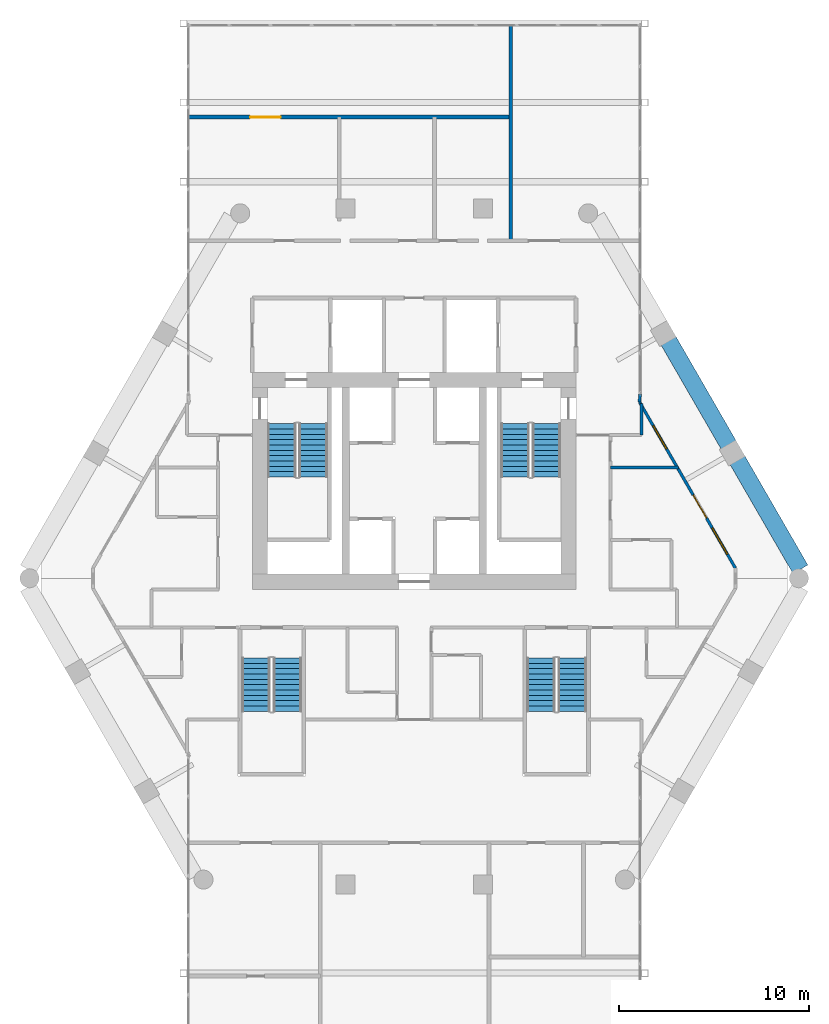
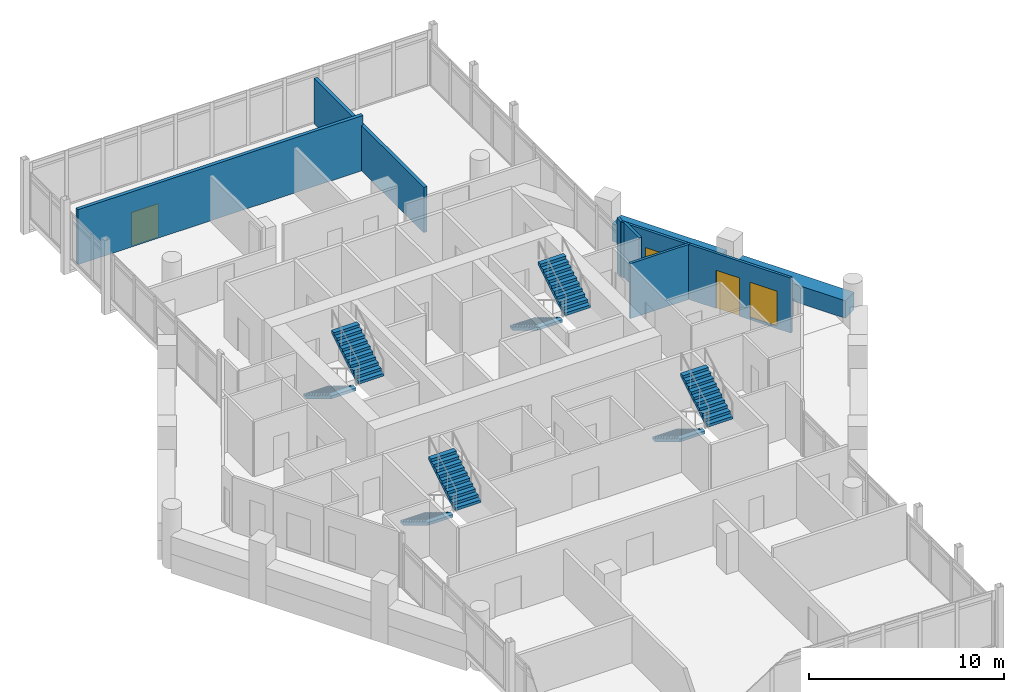
# One storey, part 28 of 29: 8 stair flights, 8 walls, 2 doors, 2 windows, 4 openings, 4 elements without a shape of their own.
"""IFC4 building model written with IfcOpenShell, lengths in metres."""

from ifc_helpers import new_model, si_unit, direction, frame, frame_2d, origin, place, context, subcontext, project, spatial, polyline, rectangle, outline, extrude, material, layer, layer_set, type_object, element, fill, aggregate, save


model = new_model("IFC4")

# Units and contexts
model_context = context("Model", 3, precision=1e-05, world=origin(), true_north=direction((0.0, 1.0)))
body_context = subcontext(model_context, "Body", "Model", "MODEL_VIEW")
ifc_project = project(units=[si_unit("LENGTHUNIT", "METRE"), si_unit("AREAUNIT", "SQUARE_METRE"), si_unit("VOLUMEUNIT", "CUBIC_METRE"), si_unit("PLANEANGLEUNIT", "RADIAN"), si_unit("MASSUNIT", "GRAM", prefix="KILO")], contexts=[model_context])

# Site, building, storey
site_placement = place(None, origin())
site = spatial("IfcSite", under=ifc_project, at=site_placement, CompositionType="ELEMENT")
building_placement = place(site_placement, origin())
building = spatial("IfcBuilding", under=site, at=building_placement, Name="Ostrander Bayou Hotel Tower", CompositionType="ELEMENT")
storey_placement = place(building_placement, frame((0.0, 0.0, 205.75)))
storey = spatial("IfcBuildingStorey", under=building, at=storey_placement, Name="L51", CompositionType="ELEMENT", Elevation=205.75)

# Wall, openings, door, windows
ifc_material_1 = material(Name="Aluminium framed insulated wall", Category="aluminium")
ifc_layer_1 = layer(ifc_material_1, 0.14990234375)
ifc_layer_set_1 = layer_set([ifc_layer_1], Name="GW1 glass-line wall 150 mm")
wall_type_1 = type_object("IfcWallType", Name="GW1 glass-line wall 150 mm", PredefinedType="SOLIDWALL", material=ifc_layer_set_1)
wall_1_placement = place(storey_placement, frame((16.861328125, -0.580322265625, 0.0), z_axis=(0.0, 0.0, 1.0), x_axis=(-0.499993749393, 0.866029012544, 0.0)))
wall_1 = element("IfcWall", 1, at=wall_1_placement, inside=storey, type_object=wall_type_1, Name="GW1 L51 NE 1", PredefinedType="SOLIDWALL", context=body_context, shape_type="SweptSolid", body=[
    extrude(rectangle(XDim=10.074951171875, YDim=0.14990234375, at=frame_2d((5.03759765625, 0.0))), origin(), (0.0, 0.0, 1.0), 3.449951171875),
])
opening_1_placement = place(wall_1_placement, frame((0.833251953125, 0.0, 0.14990234375)))
opening_1 = element("IfcOpeningElement", 2, at=opening_1_placement, cuts=wall_1, Name="Opening W9", PredefinedType="OPENING", context=body_context, shape_type="SweptSolid", body=[
    extrude(rectangle(XDim=1.60009765625, YDim=2.199951171875, at=frame_2d((0.800048828125, 1.10009765625))), frame((0.0, 0.074951171875, 0.0), z_axis=(0.0, -1.0, 0.0), x_axis=(1.0, 0.0, 0.0)), (0.0, 0.0, 1.0), 0.14990234375),
])
opening_2_placement = place(wall_1_placement, frame((3.033203125, 0.0, 0.0)))
opening_2 = element("IfcOpeningElement", 3, at=opening_2_placement, cuts=wall_1, Name="Opening T50-801", PredefinedType="OPENING", context=body_context, shape_type="SweptSolid", body=[
    extrude(rectangle(XDim=1.39990234375, YDim=2.39990234375, at=frame_2d((0.699951171875, 1.199951171875))), frame((0.0, 0.074951171875, 0.0), z_axis=(0.0, -1.0, 0.0), x_axis=(1.0, 0.0, 0.0)), (0.0, 0.0, 1.0), 0.14990234375),
])
opening_3_placement = place(wall_1_placement, frame((7.233154296875, 0.0, 0.14990234375)))
opening_3 = element("IfcOpeningElement", 4, at=opening_3_placement, cuts=wall_1, Name="Opening W13", PredefinedType="OPENING", context=body_context, shape_type="SweptSolid", body=[
    extrude(rectangle(XDim=1.39990234375, YDim=2.199951171875, at=frame_2d((0.699951171875, 1.10009765625))), frame((0.0, 0.074951171875, 0.0), z_axis=(0.0, -1.0, 0.0), x_axis=(1.0, 0.0, 0.0)), (0.0, 0.0, 1.0), 0.14990234375),
])
ifc_material_2 = material(Name="Aluminium and clear glass", Category="aluminium")
door_type_1 = type_object("IfcDoorType", Name="SD3 sliding glass door 1400 mm, zone 3", OperationType="SLIDING_TO_LEFT", PredefinedType="DOOR", material=ifc_material_2)
door_1_placement = place(opening_2_placement, origin())
door_1 = element("IfcDoor", 5, at=door_1_placement, inside=storey, type_object=door_type_1, Name="SD3 L51 NE 1", OperationType="SLIDING_TO_LEFT", OverallHeight=2.39990234375, OverallWidth=1.39990234375, PredefinedType="DOOR", context=body_context, shape_type="SweptSolid", body=[
    extrude(rectangle(XDim=1.39990234375, YDim=2.39990234375, at=frame_2d((0.699951171875, 1.199951171875))), frame((0.0, 0.02490234375, 0.0), z_axis=(0.0, -1.0, 0.0), x_axis=(1.0, 0.0, 0.0)), (0.0, 0.0, 1.0), 0.050048828125),
])
fill(opening_2, door_1)
ifc_material_3 = material(Name="Aluminium and clear glass", Category="aluminium")
window_type_1 = type_object("IfcWindowType", Name="W13 fixed window 1400 mm, bath bay, zone 3", PartitioningType="SINGLE_PANEL", PredefinedType="WINDOW", material=ifc_material_3)
window_1_placement = place(opening_3_placement, origin())
window_1 = element("IfcWindow", 6, at=window_1_placement, inside=storey, type_object=window_type_1, Name="W13 L51 NE 2", OverallHeight=2.199951171875, OverallWidth=1.39990234375, PartitioningType="SINGLE_PANEL", PredefinedType="WINDOW", context=body_context, shape_type="SweptSolid", body=[
    extrude(rectangle(XDim=1.39990234375, YDim=2.199951171875, at=frame_2d((0.699951171875, 1.10009765625))), frame((0.0, 0.030029296875, 0.0), z_axis=(0.0, -1.0, 0.0), x_axis=(1.0, 0.0, 0.0)), (0.0, 0.0, 1.0), 0.06005859375),
])
fill(opening_3, window_1)
ifc_material_4 = material(Name="Aluminium and clear glass", Category="aluminium")
window_type_2 = type_object("IfcWindowType", Name="W9 fixed window 1600 mm, bar storeys, zone 3", PartitioningType="SINGLE_PANEL", PredefinedType="WINDOW", material=ifc_material_4)
window_2_placement = place(opening_1_placement, origin())
window_2 = element("IfcWindow", 7, at=window_2_placement, inside=storey, type_object=window_type_2, Name="W9 L51 NE 1", OverallHeight=2.199951171875, OverallWidth=1.60009765625, PartitioningType="SINGLE_PANEL", PredefinedType="WINDOW", context=body_context, shape_type="SweptSolid", body=[
    extrude(rectangle(XDim=1.60009765625, YDim=2.199951171875, at=frame_2d((0.800048828125, 1.10009765625))), frame((0.0, 0.030029296875, 0.0), z_axis=(0.0, -1.0, 0.0), x_axis=(1.0, 0.0, 0.0)), (0.0, 0.0, 1.0), 0.06005859375),
])
fill(opening_1, window_2)

# Walls
wall_2_placement = place(storey_placement, frame((11.823974609375, 8.144775390625, 0.0), z_axis=(0.0, 0.0, 1.0), x_axis=(0.078869316502, 0.996884963732, 0.0)))
element("IfcWall", 8, at=wall_2_placement, inside=storey, type_object=wall_type_1, Name="GW1 L51 bar joint 4", PredefinedType="SOLIDWALL", context=body_context, shape_type="SweptSolid", body=[
    extrude(rectangle(XDim=0.4208984375, YDim=0.14990234375, at=frame_2d((0.21044921875, 0.0))), origin(), (0.0, 0.0, 1.0), 3.449951171875),
])
ifc_material_5 = material(Name="Concrete f'c 40 MPa", Category="concrete")
ifc_layer_2 = layer(ifc_material_5, 0.89990234375)
ifc_layer_set_2 = layer_set([ifc_layer_2], Name="PA1 stone-faced parapet 900 mm")
wall_type_2 = type_object("IfcWallType", Name="PA1 stone-faced parapet 900 mm", PredefinedType="PARAPET", material=ifc_layer_set_2)
wall_3_placement = place(storey_placement, frame((20.275146484375, -0.64306640625, 0.0), z_axis=(0.0, 0.0, 1.0), x_axis=(-0.500010360262, 0.866019422202, 0.0)))
element("IfcWall", 9, at=wall_3_placement, inside=storey, type_object=wall_type_2, Name="PA1 L51 NE-1", PredefinedType="PARAPET", context=body_context, shape_type="SweptSolid", body=[
    extrude(rectangle(XDim=6.606201171875, YDim=0.89990234375, at=frame_2d((3.30322265625, 0.0))), origin(), (0.0, 0.0, 1.0), 1.10009765625),
])
wall_4_placement = place(storey_placement, frame((16.501953125, 5.892333984375, 0.0), z_axis=(0.0, 0.0, 1.0), x_axis=(-0.500013351051, 0.866017695414, 0.0)))
element("IfcWall", 10, at=wall_4_placement, inside=storey, type_object=wall_type_2, Name="PA1 L51 NE-2", PredefinedType="PARAPET", context=body_context, shape_type="SweptSolid", body=[
    extrude(rectangle(XDim=6.296142578125, YDim=0.89990234375, at=frame_2d((3.14794921875, 0.0))), origin(), (0.0, 0.0, 1.0), 1.10009765625),
])

# Wall, opening, door
ifc_material_6 = material(Name="Gypsum board partition", Category="finish")
ifc_layer_3 = layer(ifc_material_6, 0.199951171875)
ifc_layer_set_3 = layer_set([ifc_layer_3], Name="PT3 demising wall 200 mm acoustic double stud, 1 hour")
wall_type_3 = type_object("IfcWallType", Name="PT3 demising wall 200 mm acoustic double stud, 1 hour", PredefinedType="PARTITIONING", material=ifc_layer_set_3)
wall_5_placement = place(storey_placement, frame((-11.838134765625, 23.10009765625, 0.0), z_axis=(0.0, 0.0, 1.0), x_axis=(1.0, 0.0, 0.0)))
wall_5 = element("IfcWall", 11, at=wall_5_placement, inside=storey, type_object=wall_type_3, Name="sw:L51:506", PredefinedType="PARTITIONING", context=body_context, shape_type="SweptSolid", body=[
    extrude(rectangle(XDim=16.906005859375, YDim=0.199951171875, at=frame_2d((8.453125, 0.0))), origin(), (0.0, 0.0, 1.0), 3.449951171875),
])
opening_4_placement = place(wall_5_placement, frame((3.220947265625, 0.0, 0.0)))
opening_4 = element("IfcOpeningElement", 12, at=opening_4_placement, cuts=wall_5, Name="Opening T50-1210", PredefinedType="OPENING", context=body_context, shape_type="SweptSolid", body=[
    extrude(rectangle(XDim=1.60009765625, YDim=2.10009765625, at=frame_2d((0.800048828125, 1.050048828125))), frame((0.0, 0.10009765625, 0.0), z_axis=(0.0, -1.0, 0.0), x_axis=(1.0, 0.0, 0.0)), (0.0, 0.0, 1.0), 0.199951171875),
])
ifc_material_7 = material(Name="Timber door leaf", Category="wood")
door_type_2 = type_object("IfcDoorType", Name="D13 double door 1600 x 2100 mm, 1 hour", OperationType="SINGLE_SWING_LEFT", PredefinedType="DOOR", material=ifc_material_7)
door_2_placement = place(opening_4_placement, origin())
door_2 = element("IfcDoor", 13, at=door_2_placement, inside=storey, type_object=door_type_2, Name="dr:L51:1210", OperationType="DOUBLE_DOOR_SINGLE_SWING", OverallHeight=2.10009765625, OverallWidth=1.60009765625, PredefinedType="DOOR", context=body_context, shape_type="SweptSolid", body=[
    extrude(rectangle(XDim=1.60009765625, YDim=2.10009765625, at=frame_2d((0.800048828125, 1.050048828125))), frame((0.0, 0.02490234375, 0.0), z_axis=(0.0, -1.0, 0.0), x_axis=(1.0, 0.0, 0.0)), (0.0, 0.0, 1.0), 0.050048828125),
])
fill(opening_4, door_2)

# Walls
wall_6_placement = place(storey_placement, frame((5.068115234375, 16.60009765625, 0.0), z_axis=(0.0, 0.0, 1.0), x_axis=(0.0, 1.0, 0.0)))
element("IfcWall", 14, at=wall_6_placement, inside=storey, type_object=wall_type_3, Name="sw:L51:511", PredefinedType="PARTITIONING", context=body_context, shape_type="SweptSolid", body=[
    extrude(rectangle(XDim=11.297119140625, YDim=0.199951171875, at=frame_2d((5.6484375, 0.0))), origin(), (0.0, 0.0, 1.0), 2.8388671875),
])
ifc_material_8 = material(Name="Gypsum board partition", Category="finish")
ifc_layer_4 = layer(ifc_material_8, 0.14990234375)
ifc_layer_set_4 = layer_set([ifc_layer_4], Name="PT8 service band wall 150 mm, 1 hour")
wall_type_4 = type_object("IfcWallType", Name="PT8 service band wall 150 mm, 1 hour", PredefinedType="PARTITIONING", material=ifc_layer_set_4)
wall_7_placement = place(storey_placement, frame((10.300048828125, 4.699951171875, 0.0), z_axis=(0.0, 0.0, 1.0), x_axis=(1.0, 0.0, 0.0)))
element("IfcWall", 15, at=wall_7_placement, inside=storey, type_object=wall_type_4, Name="gw:L51:017", PredefinedType="PARTITIONING", context=body_context, shape_type="SweptSolid", body=[
    extrude(rectangle(XDim=3.56494140625, YDim=0.14990234375, at=frame_2d((1.782470703125, 0.0))), origin(), (0.0, 0.0, 1.0), 3.449951171875),
])
wall_8_placement = place(storey_placement, frame((11.929931640625, 6.39990234375, 0.0), z_axis=(0.0, 0.0, 1.0), x_axis=(0.0, 1.0, 0.0)))
element("IfcWall", 16, at=wall_8_placement, inside=storey, type_object=wall_type_4, Name="gw:L51:024", PredefinedType="PARTITIONING", context=body_context, shape_type="SweptSolid", body=[
    extrude(rectangle(XDim=1.651123046875, YDim=0.14990234375, at=frame_2d((0.82568359375, 0.0))), origin(), (0.0, 0.0, 1.0), 3.449951171875),
])

# Stair, stair flights
ifc_material_9 = material(Name="Concrete f'c 45 MPa", Category="concrete")
stair_type = type_object("IfcStairType", Name="ST1 exit stair 1500 mm f'c 45 MPa", PredefinedType="HALF_TURN_STAIR", material=ifc_material_9)
stair_1_placement = place(storey_placement, origin())
stair_1 = element("IfcStair", 17, at=stair_1_placement, inside=storey, type_object=stair_type, Name="L51 exit stair A", PredefinedType="HALF_TURN_STAIR")
ifc_material_10 = material(Name="Concrete f'c 45 MPa", Category="concrete")
stair_flight_type = type_object("IfcStairFlightType", Name="SF1 stair flight 1500 mm f'c 45 MPa", PredefinedType="STRAIGHT", material=ifc_material_10)
stair_flight_1_placement = place(storey_placement, frame((-6.949951171875, 7.0, 0.0), z_axis=(0.0, 0.0, 1.0), x_axis=(0.0, -1.0, 0.0)))
stair_flight_1 = element("IfcStairFlight", 18, at=stair_flight_1_placement, type_object=stair_flight_type, Name="STA flight 1", NumberOfRisers=11, NumberOfTreads=10, PredefinedType="STRAIGHT", RiserHeight=0.170454545, TreadLength=0.28, context=body_context, shape_type="SweptSolid", body=[
    extrude(outline(polyline([(0.0, 0.0), (0.0, 0.17041015625), (0.280029296875, 0.17041015625), (0.280029296875, 0.3408203125), (0.56005859375, 0.3408203125), (0.56005859375, 0.511474609375), (0.840087890625, 0.511474609375), (0.840087890625, 0.681884765625), (1.1201171875, 0.681884765625), (1.1201171875, 0.852294921875), (1.39990234375, 0.852294921875), (1.39990234375, 1.022705078125), (1.679931640625, 1.022705078125), (1.679931640625, 1.193115234375), (1.9599609375, 1.193115234375), (1.9599609375, 1.363525390625), (2.239990234375, 1.363525390625), (2.239990234375, 1.5341796875), (2.52001953125, 1.5341796875), (2.52001953125, 1.70458984375), (2.800048828125, 1.70458984375), (2.800048828125, 1.875), (2.800048828125, 1.529052734375), (0.288330078125, 0.0), (0.0, 0.0)])), frame((0.0, 0.75, 0.0), z_axis=(0.0, -1.0, 0.0), x_axis=(1.0, 0.0, 0.0)), (0.0, 0.0, 1.0), 1.5),
])
stair_flight_2_placement = place(storey_placement, frame((-5.300048828125, 4.199951171875, 1.875), z_axis=(0.0, 0.0, 1.0), x_axis=(0.0, 1.0, 0.0)))
stair_flight_2 = element("IfcStairFlight", 19, at=stair_flight_2_placement, type_object=stair_flight_type, Name="STA flight 2", NumberOfRisers=11, NumberOfTreads=10, PredefinedType="STRAIGHT", RiserHeight=0.170454545, TreadLength=0.28, context=body_context, shape_type="SweptSolid", body=[
    extrude(outline(polyline([(0.0, 0.0), (0.0, 0.17041015625), (0.280029296875, 0.17041015625), (0.280029296875, 0.3408203125), (0.56005859375, 0.3408203125), (0.56005859375, 0.511474609375), (0.840087890625, 0.511474609375), (0.840087890625, 0.681884765625), (1.1201171875, 0.681884765625), (1.1201171875, 0.852294921875), (1.39990234375, 0.852294921875), (1.39990234375, 1.022705078125), (1.679931640625, 1.022705078125), (1.679931640625, 1.193115234375), (1.9599609375, 1.193115234375), (1.9599609375, 1.363525390625), (2.239990234375, 1.363525390625), (2.239990234375, 1.5341796875), (2.52001953125, 1.5341796875), (2.52001953125, 1.70458984375), (2.800048828125, 1.70458984375), (2.800048828125, 1.875), (2.800048828125, 1.529052734375), (0.288330078125, 0.0), (0.0, 0.0)])), frame((0.0, 0.75, 0.0), z_axis=(0.0, -1.0, 0.0), x_axis=(1.0, 0.0, 0.0)), (0.0, 0.0, 1.0), 1.5),
])
aggregate(stair_1, [stair_flight_1, stair_flight_2])

stair_2_placement = place(storey_placement, origin())
stair_2 = element("IfcStair", 20, at=stair_2_placement, inside=storey, type_object=stair_type, Name="L51 exit stair B", PredefinedType="HALF_TURN_STAIR")
stair_flight_3_placement = place(storey_placement, frame((5.300048828125, 7.0, 0.0), z_axis=(0.0, 0.0, 1.0), x_axis=(0.0, -1.0, 0.0)))
stair_flight_3 = element("IfcStairFlight", 21, at=stair_flight_3_placement, type_object=stair_flight_type, Name="STB flight 1", NumberOfRisers=11, NumberOfTreads=10, PredefinedType="STRAIGHT", RiserHeight=0.170454545, TreadLength=0.28, context=body_context, shape_type="SweptSolid", body=[
    extrude(outline(polyline([(0.0, 0.0), (0.0, 0.17041015625), (0.280029296875, 0.17041015625), (0.280029296875, 0.3408203125), (0.56005859375, 0.3408203125), (0.56005859375, 0.511474609375), (0.840087890625, 0.511474609375), (0.840087890625, 0.681884765625), (1.1201171875, 0.681884765625), (1.1201171875, 0.852294921875), (1.39990234375, 0.852294921875), (1.39990234375, 1.022705078125), (1.679931640625, 1.022705078125), (1.679931640625, 1.193115234375), (1.9599609375, 1.193115234375), (1.9599609375, 1.363525390625), (2.239990234375, 1.363525390625), (2.239990234375, 1.5341796875), (2.52001953125, 1.5341796875), (2.52001953125, 1.70458984375), (2.800048828125, 1.70458984375), (2.800048828125, 1.875), (2.800048828125, 1.529052734375), (0.288330078125, 0.0), (0.0, 0.0)])), frame((0.0, 0.75, 0.0), z_axis=(0.0, -1.0, 0.0), x_axis=(1.0, 0.0, 0.0)), (0.0, 0.0, 1.0), 1.5),
])
stair_flight_4_placement = place(storey_placement, frame((6.949951171875, 4.199951171875, 1.875), z_axis=(0.0, 0.0, 1.0), x_axis=(0.0, 1.0, 0.0)))
stair_flight_4 = element("IfcStairFlight", 22, at=stair_flight_4_placement, type_object=stair_flight_type, Name="STB flight 2", NumberOfRisers=11, NumberOfTreads=10, PredefinedType="STRAIGHT", RiserHeight=0.170454545, TreadLength=0.28, context=body_context, shape_type="SweptSolid", body=[
    extrude(outline(polyline([(0.0, 0.0), (0.0, 0.17041015625), (0.280029296875, 0.17041015625), (0.280029296875, 0.3408203125), (0.56005859375, 0.3408203125), (0.56005859375, 0.511474609375), (0.840087890625, 0.511474609375), (0.840087890625, 0.681884765625), (1.1201171875, 0.681884765625), (1.1201171875, 0.852294921875), (1.39990234375, 0.852294921875), (1.39990234375, 1.022705078125), (1.679931640625, 1.022705078125), (1.679931640625, 1.193115234375), (1.9599609375, 1.193115234375), (1.9599609375, 1.363525390625), (2.239990234375, 1.363525390625), (2.239990234375, 1.5341796875), (2.52001953125, 1.5341796875), (2.52001953125, 1.70458984375), (2.800048828125, 1.70458984375), (2.800048828125, 1.875), (2.800048828125, 1.529052734375), (0.288330078125, 0.0), (0.0, 0.0)])), frame((0.0, 0.75, 0.0), z_axis=(0.0, -1.0, 0.0), x_axis=(1.0, 0.0, 0.0)), (0.0, 0.0, 1.0), 1.5),
])
aggregate(stair_2, [stair_flight_3, stair_flight_4])

stair_3_placement = place(storey_placement, origin())
stair_3 = element("IfcStair", 23, at=stair_3_placement, inside=storey, type_object=stair_type, Name="L51 exit stair C", PredefinedType="HALF_TURN_STAIR")
stair_flight_5_placement = place(storey_placement, frame((6.64990234375, -5.300048828125, 0.0), z_axis=(0.0, 0.0, 1.0), x_axis=(0.0, -1.0, 0.0)))
stair_flight_5 = element("IfcStairFlight", 24, at=stair_flight_5_placement, type_object=stair_flight_type, Name="STC flight 1", NumberOfRisers=11, NumberOfTreads=10, PredefinedType="STRAIGHT", RiserHeight=0.170454545, TreadLength=0.28, context=body_context, shape_type="SweptSolid", body=[
    extrude(outline(polyline([(0.0, 0.0), (0.0, 0.17041015625), (0.280029296875, 0.17041015625), (0.280029296875, 0.3408203125), (0.56005859375, 0.3408203125), (0.56005859375, 0.511474609375), (0.840087890625, 0.511474609375), (0.840087890625, 0.681884765625), (1.1201171875, 0.681884765625), (1.1201171875, 0.852294921875), (1.39990234375, 0.852294921875), (1.39990234375, 1.022705078125), (1.679931640625, 1.022705078125), (1.679931640625, 1.193115234375), (1.9599609375, 1.193115234375), (1.9599609375, 1.363525390625), (2.239990234375, 1.363525390625), (2.239990234375, 1.5341796875), (2.52001953125, 1.5341796875), (2.52001953125, 1.70458984375), (2.800048828125, 1.70458984375), (2.800048828125, 1.875), (2.800048828125, 1.529052734375), (0.288330078125, 0.0), (0.0, 0.0)])), frame((0.0, 0.75, 0.0), z_axis=(0.0, -1.0, 0.0), x_axis=(1.0, 0.0, 0.0)), (0.0, 0.0, 1.0), 1.5),
])
stair_flight_6_placement = place(storey_placement, frame((8.300048828125, -8.10009765625, 1.875), z_axis=(0.0, 0.0, 1.0), x_axis=(0.0, 1.0, 0.0)))
stair_flight_6 = element("IfcStairFlight", 25, at=stair_flight_6_placement, type_object=stair_flight_type, Name="STC flight 2", NumberOfRisers=11, NumberOfTreads=10, PredefinedType="STRAIGHT", RiserHeight=0.170454545, TreadLength=0.28, context=body_context, shape_type="SweptSolid", body=[
    extrude(outline(polyline([(0.0, 0.0), (0.0, 0.17041015625), (0.280029296875, 0.17041015625), (0.280029296875, 0.3408203125), (0.56005859375, 0.3408203125), (0.56005859375, 0.511474609375), (0.840087890625, 0.511474609375), (0.840087890625, 0.681884765625), (1.1201171875, 0.681884765625), (1.1201171875, 0.852294921875), (1.39990234375, 0.852294921875), (1.39990234375, 1.022705078125), (1.679931640625, 1.022705078125), (1.679931640625, 1.193115234375), (1.9599609375, 1.193115234375), (1.9599609375, 1.363525390625), (2.239990234375, 1.363525390625), (2.239990234375, 1.5341796875), (2.52001953125, 1.5341796875), (2.52001953125, 1.70458984375), (2.800048828125, 1.70458984375), (2.800048828125, 1.875), (2.800048828125, 1.529052734375), (0.288330078125, 0.0), (0.0, 0.0)])), frame((0.0, 0.75, 0.0), z_axis=(0.0, -1.0, 0.0), x_axis=(1.0, 0.0, 0.0)), (0.0, 0.0, 1.0), 1.5),
])
aggregate(stair_3, [stair_flight_5, stair_flight_6])

stair_4_placement = place(storey_placement, origin())
stair_4 = element("IfcStair", 26, at=stair_4_placement, inside=storey, type_object=stair_type, Name="L51 exit stair D", PredefinedType="HALF_TURN_STAIR")
stair_flight_7_placement = place(storey_placement, frame((-8.300048828125, -5.300048828125, 0.0), z_axis=(0.0, 0.0, 1.0), x_axis=(0.0, -1.0, 0.0)))
stair_flight_7 = element("IfcStairFlight", 27, at=stair_flight_7_placement, type_object=stair_flight_type, Name="STD flight 1", NumberOfRisers=11, NumberOfTreads=10, PredefinedType="STRAIGHT", RiserHeight=0.170454545, TreadLength=0.28, context=body_context, shape_type="SweptSolid", body=[
    extrude(outline(polyline([(0.0, 0.0), (0.0, 0.17041015625), (0.280029296875, 0.17041015625), (0.280029296875, 0.3408203125), (0.56005859375, 0.3408203125), (0.56005859375, 0.511474609375), (0.840087890625, 0.511474609375), (0.840087890625, 0.681884765625), (1.1201171875, 0.681884765625), (1.1201171875, 0.852294921875), (1.39990234375, 0.852294921875), (1.39990234375, 1.022705078125), (1.679931640625, 1.022705078125), (1.679931640625, 1.193115234375), (1.9599609375, 1.193115234375), (1.9599609375, 1.363525390625), (2.239990234375, 1.363525390625), (2.239990234375, 1.5341796875), (2.52001953125, 1.5341796875), (2.52001953125, 1.70458984375), (2.800048828125, 1.70458984375), (2.800048828125, 1.875), (2.800048828125, 1.529052734375), (0.288330078125, 0.0), (0.0, 0.0)])), frame((0.0, 0.75, 0.0), z_axis=(0.0, -1.0, 0.0), x_axis=(1.0, 0.0, 0.0)), (0.0, 0.0, 1.0), 1.5),
])
stair_flight_8_placement = place(storey_placement, frame((-6.64990234375, -8.10009765625, 1.875), z_axis=(0.0, 0.0, 1.0), x_axis=(0.0, 1.0, 0.0)))
stair_flight_8 = element("IfcStairFlight", 28, at=stair_flight_8_placement, type_object=stair_flight_type, Name="STD flight 2", NumberOfRisers=11, NumberOfTreads=10, PredefinedType="STRAIGHT", RiserHeight=0.170454545, TreadLength=0.28, context=body_context, shape_type="SweptSolid", body=[
    extrude(outline(polyline([(0.0, 0.0), (0.0, 0.17041015625), (0.280029296875, 0.17041015625), (0.280029296875, 0.3408203125), (0.56005859375, 0.3408203125), (0.56005859375, 0.511474609375), (0.840087890625, 0.511474609375), (0.840087890625, 0.681884765625), (1.1201171875, 0.681884765625), (1.1201171875, 0.852294921875), (1.39990234375, 0.852294921875), (1.39990234375, 1.022705078125), (1.679931640625, 1.022705078125), (1.679931640625, 1.193115234375), (1.9599609375, 1.193115234375), (1.9599609375, 1.363525390625), (2.239990234375, 1.363525390625), (2.239990234375, 1.5341796875), (2.52001953125, 1.5341796875), (2.52001953125, 1.70458984375), (2.800048828125, 1.70458984375), (2.800048828125, 1.875), (2.800048828125, 1.529052734375), (0.288330078125, 0.0), (0.0, 0.0)])), frame((0.0, 0.75, 0.0), z_axis=(0.0, -1.0, 0.0), x_axis=(1.0, 0.0, 0.0)), (0.0, 0.0, 1.0), 1.5),
])
aggregate(stair_4, [stair_flight_7, stair_flight_8])

save(model, "model.ifc")
